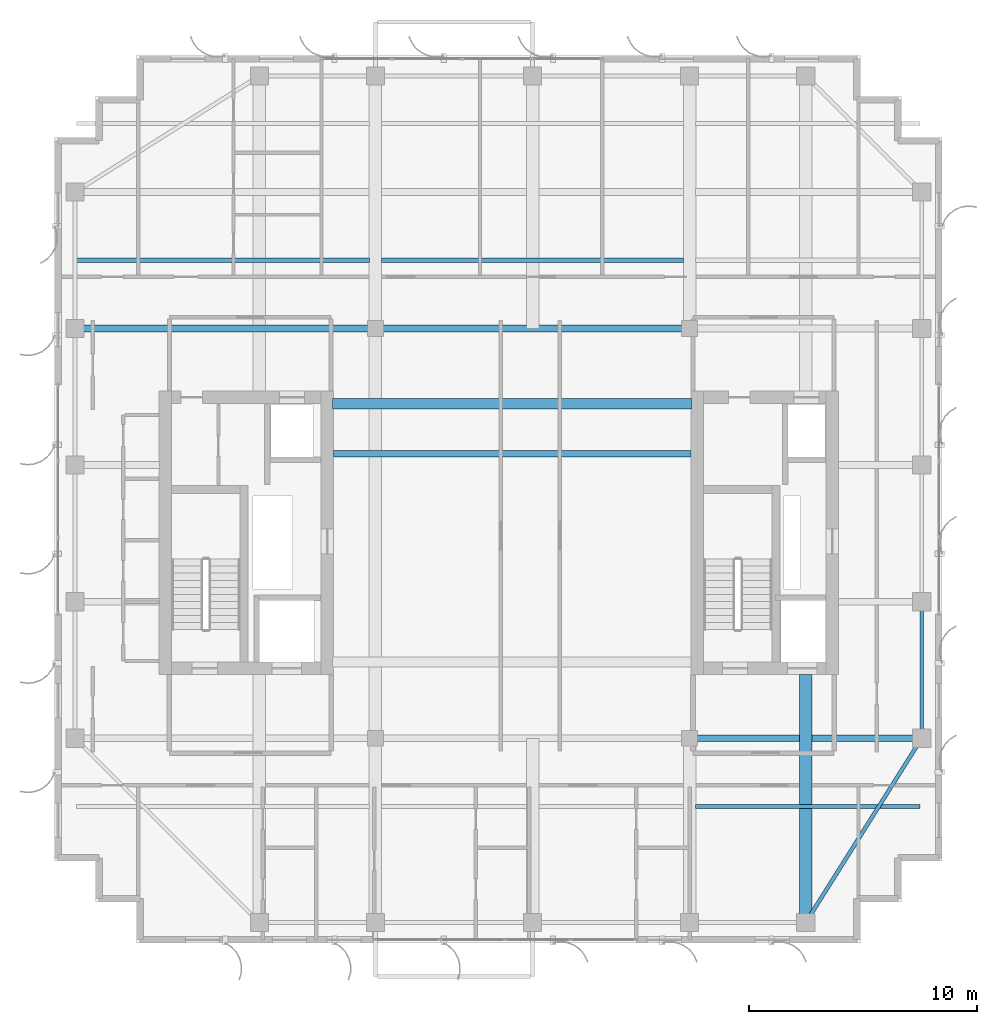
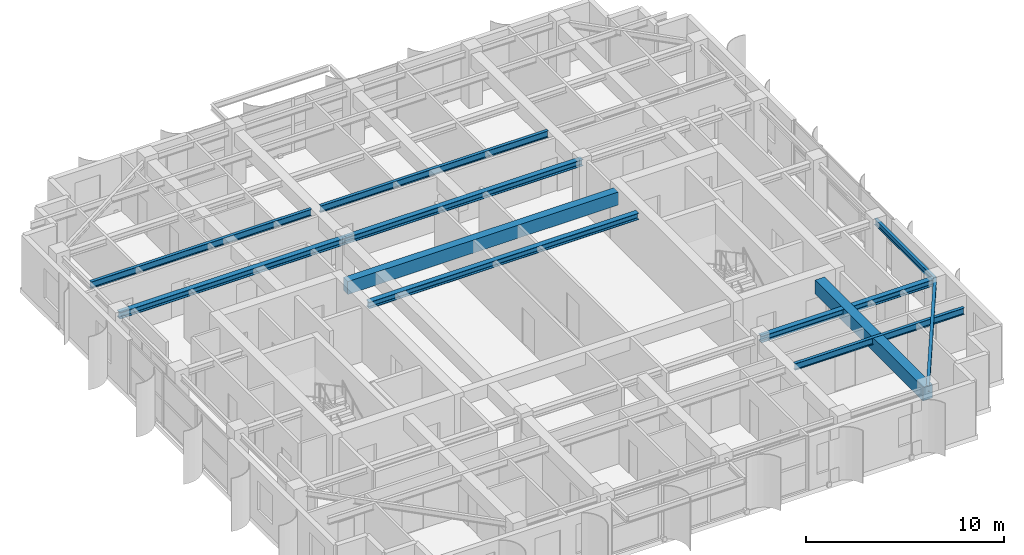
# One storey, part 11 of 23: 11 beams.
"""IFC4 building model written with IfcOpenShell, lengths in metres."""

from ifc_helpers import new_model, si_unit, direction, frame, origin, origin_2d, place, context, subcontext, project, spatial, rectangle, i_section, extrude, source, transform, mapped, material, material_profile, profile_set, type_object, element, save


model = new_model("IFC4")

# Units and contexts
model_context = context("Model", 3, precision=1e-05, world=origin(), true_north=direction((0.0, 1.0)))
body_context = subcontext(model_context, "Body", "Model", "MODEL_VIEW")
ifc_project = project(units=[si_unit("LENGTHUNIT", "METRE"), si_unit("AREAUNIT", "SQUARE_METRE"), si_unit("VOLUMEUNIT", "CUBIC_METRE"), si_unit("PLANEANGLEUNIT", "RADIAN"), si_unit("MASSUNIT", "GRAM", prefix="KILO")], contexts=[model_context])

# Site, building, storey
site_placement = place(None, origin())
site = spatial("IfcSite", under=ifc_project, at=site_placement, CompositionType="ELEMENT")
building_placement = place(site_placement, origin())
building = spatial("IfcBuilding", under=site, at=building_placement, Name="Khoralis Quay Care Tower", CompositionType="ELEMENT")
storey_placement = place(building_placement, frame((0.0, 0.0, 270.89990234375)))
storey = spatial("IfcBuildingStorey", under=building, at=storey_placement, Name="L71", CompositionType="ELEMENT", Elevation=270.89990234375)

# Beams
ifc_material_1 = material(Name="Concrete C50/60", Category="concrete")
ifc_material_profile_1 = material_profile(ifc_material_1, rectangle(XDim=0.449951171875, YDim=0.800048828125, at=origin_2d()), Name="Concrete C50/60")
ifc_profile_set_1 = profile_set([ifc_material_profile_1], Name="Concrete C50/60")
beam_type_1 = type_object("IfcBeamType", Name="CB-RC450X800", PredefinedType="LINTEL", material=ifc_profile_set_1)
shared_shape_1 = source(origin(), body_context, "Body", "SweptSolid", [
    extrude(rectangle(XDim=0.449951171875, YDim=0.800048828125, at=origin_2d()), origin(), (0.0, 0.0, 1.0), 15.780029296875),
])
beam_1_placement = place(storey_placement, frame((15.219970703125, 26.699951171875, 2.920166015625), z_axis=(1.0, 0.0, 0.0), x_axis=(0.0, 1.0, 0.0)))
element("IfcBeam", 1, at=beam_1_placement, inside=storey, type_object=beam_type_1, Name="L71 North Core Coupling Lintel", PredefinedType="LINTEL", context=body_context, shape_type="MappedRepresentation", body=[
    mapped(shared_shape_1, transform((0.0, 0.0, 0.0), scale=1.0)),
])
ifc_material_2 = material(Name="Steel S355", Category="steel")
ifc_material_profile_2 = material_profile(ifc_material_2, i_section(OverallWidth=0.169921875, OverallDepth=0.360107421875, WebThickness=0.008056640625, FlangeThickness=0.0126953125, FilletRadius=0.01806640625, at=origin_2d()), Name="Steel S355")
ifc_profile_set_2 = profile_set([ifc_material_profile_2], Name="Steel S355")
beam_type_2 = type_object("IfcBeamType", Name="BM-IPE360", PredefinedType="SPANDREL", material=ifc_profile_set_2)
shared_shape_2 = source(origin(), body_context, "Body", "SweptSolid", [
    extrude(i_section(OverallWidth=0.169921875, OverallDepth=0.360107421875, WebThickness=0.008056640625, FlangeThickness=0.0126953125, FilletRadius=0.01806640625, at=origin_2d()), origin(), (0.0, 0.0, 1.0), 6.0),
])
beam_2_placement = place(storey_placement, frame((41.10009765625, 12.0, 3.14013671875), z_axis=(0.0, 1.0, 0.0), x_axis=(-1.0, 0.0, 0.0)))
element("IfcBeam", 2, at=beam_2_placement, inside=storey, type_object=beam_type_2, Name="BM-TSP-L71-13", PredefinedType="SPANDREL", context=body_context, shape_type="MappedRepresentation", body=[
    mapped(shared_shape_2, transform((0.0, 0.0, 0.0), scale=1.0)),
])
shared_shape_3 = source(origin(), body_context, "Body", "SweptSolid", [
    extrude(i_section(OverallWidth=0.169921875, OverallDepth=0.360107421875, WebThickness=0.008056640625, FlangeThickness=0.0126953125, FilletRadius=0.01806640625, at=origin_2d()), origin(), (0.0, 0.0, 1.0), 9.572021484375),
])
beam_3_placement = place(storey_placement, frame((36.0, 3.89990234375, 3.14013671875), z_axis=(0.532815975602, 0.846231136359, 0.0), x_axis=(-0.846231136359, 0.532815975602, 0.0)))
element("IfcBeam", 3, at=beam_3_placement, inside=storey, type_object=beam_type_2, Name="BM-TCR-L71-18", PredefinedType="SPANDREL", context=body_context, shape_type="MappedRepresentation", body=[
    mapped(shared_shape_3, transform((0.0, 0.0, 0.0), scale=1.0)),
])
ifc_material_profile_3 = material_profile(ifc_material_2, i_section(OverallWidth=0.300048828125, OverallDepth=0.39990234375, WebThickness=0.013427734375, FlangeThickness=0.02392578125, FilletRadius=0.027099609375, at=origin_2d()), Name="Steel S355")
ifc_profile_set_3 = profile_set([ifc_material_profile_3], Name="Steel S355")
beam_type_3 = type_object("IfcBeamType", Name="BM-HEB400", PredefinedType="BEAM", material=ifc_profile_set_3)
shared_shape_4 = source(origin(), body_context, "Body", "SweptSolid", [
    extrude(i_section(OverallWidth=0.300048828125, OverallDepth=0.39990234375, WebThickness=0.013427734375, FlangeThickness=0.02392578125, FilletRadius=0.027099609375, at=origin_2d()), origin(), (0.0, 0.0, 1.0), 13.2001953125),
])
beam_4_placement = place(storey_placement, frame((3.89990234375, 30.0, 3.1201171875), z_axis=(1.0, 0.0, 0.0), x_axis=(0.0, 1.0, 0.0)))
element("IfcBeam", 4, at=beam_4_placement, inside=storey, type_object=beam_type_3, Name="BM-TGXW-L71-300", PredefinedType="BEAM", context=body_context, shape_type="MappedRepresentation", body=[
    mapped(shared_shape_4, transform((0.0, 0.0, 0.0), scale=1.0)),
])
shared_shape_5 = source(origin(), body_context, "Body", "SweptSolid", [
    extrude(i_section(OverallWidth=0.300048828125, OverallDepth=0.39990234375, WebThickness=0.013427734375, FlangeThickness=0.02392578125, FilletRadius=0.027099609375, at=origin_2d()), origin(), (0.0, 0.0, 1.0), 10.2001953125),
])
beam_5_placement = place(storey_placement, frame((30.89990234375, 12.0, 3.1201171875), z_axis=(1.0, 0.0, 0.0), x_axis=(0.0, 1.0, 0.0)))
element("IfcBeam", 5, at=beam_5_placement, inside=storey, type_object=beam_type_3, Name="BM-TGXE-L71-120", PredefinedType="BEAM", context=body_context, shape_type="MappedRepresentation", body=[
    mapped(shared_shape_5, transform((0.0, 0.0, 0.0), scale=1.0)),
])
ifc_material_profile_4 = material_profile(ifc_material_1, rectangle(XDim=0.550048828125, YDim=0.85009765625, at=origin_2d()), Name="Concrete C50/60")
ifc_profile_set_4 = profile_set([ifc_material_profile_4], Name="Concrete C50/60")
beam_type_4 = type_object("IfcBeamType", Name="BM-RC550X850", PredefinedType="BEAM", material=ifc_profile_set_4)
shared_shape_6 = source(origin(), body_context, "Body", "SweptSolid", [
    extrude(rectangle(XDim=0.550048828125, YDim=0.85009765625, at=origin_2d()), origin(), (0.0, 0.0, 1.0), 10.902099609375),
])
beam_6_placement = place(storey_placement, frame((36.0, 3.89990234375, 2.89501953125), z_axis=(0.0, 1.0, 0.0), x_axis=(-1.0, 0.0, 0.0)))
element("IfcBeam", 6, at=beam_6_placement, inside=storey, type_object=beam_type_4, Name="BM-TGYS-L71-360", PredefinedType="BEAM", context=body_context, shape_type="MappedRepresentation", body=[
    mapped(shared_shape_6, transform((0.0, 0.0, 0.0), scale=1.0)),
])
ifc_material_profile_5 = material_profile(ifc_material_2, i_section(OverallWidth=0.177978515625, OverallDepth=0.406982421875, WebThickness=0.0078125, FlangeThickness=0.0126953125, FilletRadius=0.012939453125, at=origin_2d()), Name="Steel S355")
ifc_profile_set_5 = profile_set([ifc_material_profile_5], Name="Steel S355")
beam_type_5 = type_object("IfcBeamType", Name="BM-W410X60", PredefinedType="JOIST", material=ifc_profile_set_5)
shared_shape_7 = source(origin(), body_context, "Body", "SweptSolid", [
    extrude(i_section(OverallWidth=0.177978515625, OverallDepth=0.406982421875, WebThickness=0.0078125, FlangeThickness=0.0126953125, FilletRadius=0.012939453125, at=origin_2d()), origin(), (0.0, 0.0, 1.0), 12.865966796875),
])
beam_7_placement = place(storey_placement, frame((3.970947265625, 33.0, 3.11669921875), z_axis=(1.0, 0.0, 0.0), x_axis=(0.0, 1.0, 0.0)))
element("IfcBeam", 7, at=beam_7_placement, inside=storey, type_object=beam_type_5, Name="BM-TJS-L71-24", PredefinedType="JOIST", context=body_context, shape_type="MappedRepresentation", body=[
    mapped(shared_shape_7, transform((0.0, 0.0, 0.0), scale=1.0)),
])
shared_shape_8 = source(origin(), body_context, "Body", "SweptSolid", [
    extrude(i_section(OverallWidth=0.177978515625, OverallDepth=0.406982421875, WebThickness=0.0078125, FlangeThickness=0.0126953125, FilletRadius=0.012939453125, at=origin_2d()), origin(), (0.0, 0.0, 1.0), 9.865966796875),
])
beam_8_placement = place(storey_placement, frame((31.1630859375, 9.0, 3.11669921875), z_axis=(1.0, 0.0, 0.0), x_axis=(0.0, 1.0, 0.0)))
element("IfcBeam", 8, at=beam_8_placement, inside=storey, type_object=beam_type_5, Name="BM-TJS-L71-22", PredefinedType="JOIST", context=body_context, shape_type="MappedRepresentation", body=[
    mapped(shared_shape_8, transform((0.0, 0.0, 0.0), scale=1.0)),
])
shared_shape_9 = source(origin(), body_context, "Body", "SweptSolid", [
    extrude(i_section(OverallWidth=0.300048828125, OverallDepth=0.39990234375, WebThickness=0.013427734375, FlangeThickness=0.02392578125, FilletRadius=0.027099609375, at=origin_2d()), origin(), (0.0, 0.0, 1.0), 13.7998046875),
])
beam_9_placement = place(storey_placement, frame((17.10009765625, 30.0, 3.1201171875), z_axis=(1.0, 0.0, 0.0), x_axis=(0.0, 1.0, 0.0)))
element("IfcBeam", 9, at=beam_9_placement, inside=storey, type_object=beam_type_3, Name="BM-TGCC-L71-300", PredefinedType="BEAM", context=body_context, shape_type="MappedRepresentation", body=[
    mapped(shared_shape_9, transform((0.0, 0.0, 0.0), scale=1.0)),
])
shared_shape_10 = source(origin(), body_context, "Body", "SweptSolid", [
    extrude(i_section(OverallWidth=0.300048828125, OverallDepth=0.39990234375, WebThickness=0.013427734375, FlangeThickness=0.02392578125, FilletRadius=0.027099609375, at=origin_2d()), origin(), (0.0, 0.0, 1.0), 15.723876953125),
])
beam_10_placement = place(storey_placement, frame((15.248046875, 24.5, 3.1201171875), z_axis=(1.0, 0.0, 0.0), x_axis=(0.0, 1.0, 0.0)))
element("IfcBeam", 10, at=beam_10_placement, inside=storey, type_object=beam_type_3, Name="BM-TGCC-L71-245", PredefinedType="BEAM", context=body_context, shape_type="MappedRepresentation", body=[
    mapped(shared_shape_10, transform((0.0, 0.0, 0.0), scale=1.0)),
])
shared_shape_11 = source(origin(), body_context, "Body", "SweptSolid", [
    extrude(i_section(OverallWidth=0.177978515625, OverallDepth=0.406982421875, WebThickness=0.0078125, FlangeThickness=0.0126953125, FilletRadius=0.012939453125, at=origin_2d()), origin(), (0.0, 0.0, 1.0), 13.27392578125),
])
beam_11_placement = place(storey_placement, frame((17.363037109375, 33.0, 3.11669921875), z_axis=(1.0, 0.0, 0.0), x_axis=(0.0, 1.0, 0.0)))
element("IfcBeam", 11, at=beam_11_placement, inside=storey, type_object=beam_type_5, Name="BM-TJS-L71-26", PredefinedType="JOIST", context=body_context, shape_type="MappedRepresentation", body=[
    mapped(shared_shape_11, transform((0.0, 0.0, 0.0), scale=1.0)),
])

save(model, "model.ifc")
